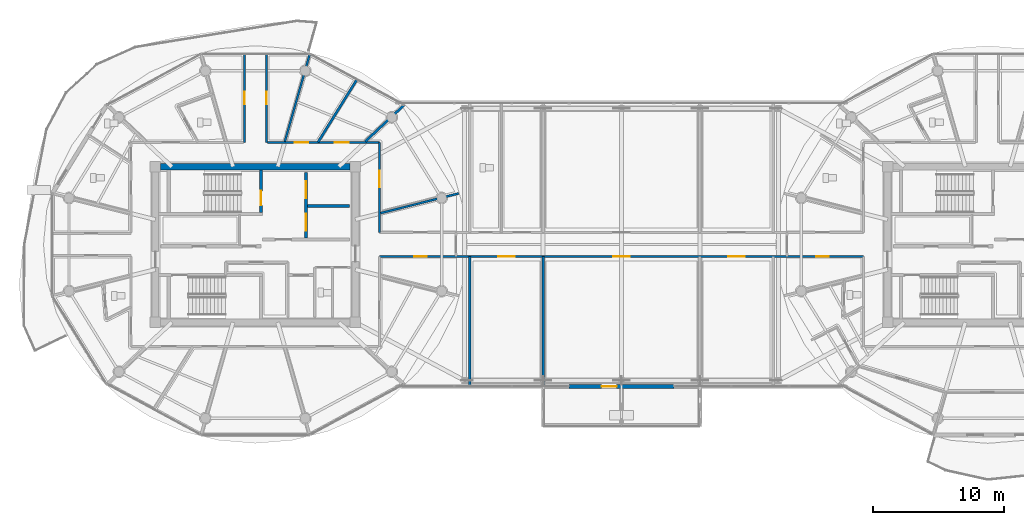
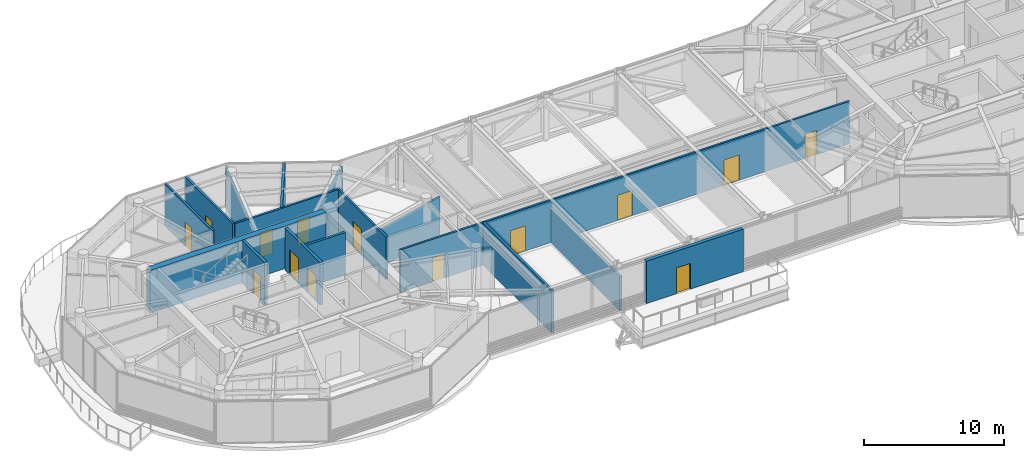
# One storey, part 16 of 31: 16 walls, 14 doors, 14 openings.
"""IFC4 building model written with IfcOpenShell, lengths in metres."""

from ifc_helpers import new_model, si_unit, direction, frame, frame_2d, origin, place, context, subcontext, project, spatial, rectangle, extrude, source, transform, mapped, material, layer, layer_set, type_object, type_shapes, element, fill, save


model = new_model("IFC4")

# Units and contexts
model_context = context("Model", 3, precision=1e-05, world=origin(), true_north=direction((0.0, 1.0)))
body_context = subcontext(model_context, "Body", "Model", "MODEL_VIEW")
ifc_project = project(units=[si_unit("LENGTHUNIT", "METRE"), si_unit("AREAUNIT", "SQUARE_METRE"), si_unit("VOLUMEUNIT", "CUBIC_METRE"), si_unit("PLANEANGLEUNIT", "RADIAN"), si_unit("MASSUNIT", "GRAM", prefix="KILO")], contexts=[model_context])

# Site, building, storey
site_placement = place(None, origin())
site = spatial("IfcSite", under=ifc_project, at=site_placement, CompositionType="ELEMENT")
building_placement = place(site_placement, origin())
building = spatial("IfcBuilding", under=site, at=building_placement, Name="Norrkilde Senior Care Towers", CompositionType="ELEMENT")
storey_placement = place(building_placement, frame((0.0, 0.0, 199.800048828125)))
storey = spatial("IfcBuildingStorey", under=building, at=storey_placement, Name="L62", CompositionType="ELEMENT", Elevation=199.800048828125)

# Wall
ifc_material_1 = material(Name="Concrete C50/60", Category="concrete")
ifc_layer_1 = layer(ifc_material_1, 0.52001953125)
ifc_layer_set_1 = layer_set([ifc_layer_1], Name="Concrete C50/60")
wall_type_1 = type_object("IfcWallType", Name="Core Shear Wall Z4 520", PredefinedType="SHEAR", material=ifc_layer_set_1)
shared_shape_1 = source(origin(), body_context, "Body", "SweptSolid", [
    extrude(rectangle(XDim=14.5, YDim=0.52001953125, at=frame_2d((7.25, 0.0))), origin(), (0.0, 0.0, 1.0), 3.7099609375),
])
type_shapes(wall_type_1, [shared_shape_1])
wall_1_placement = place(storey_placement, frame((-35.25, 5.949951171875, 0.0), z_axis=(0.0, 0.0, 1.0), x_axis=(1.0, 0.0, 0.0)))
element("IfcWall", 1, at=wall_1_placement, inside=storey, type_object=wall_type_1, Name="L62 Core W North Shear Wall", PredefinedType="SHEAR", context=body_context, shape_type="MappedRepresentation", body=[
    mapped(shared_shape_1, transform((0.0, 0.0, 0.0), x_axis=(1.0, 0.0, 0.0), y_axis=(0.0, 1.0, 0.0), z_axis=(0.0, 0.0, 1.0), scale=1.0)),
])

# Wall, opening, door
ifc_material_2 = material(Name="Precast concrete C45/55", Category="concrete")
ifc_layer_2 = layer(ifc_material_2, 0.2900390625)
ifc_layer_set_2 = layer_set([ifc_layer_2], Name="Precast concrete C45/55")
wall_type_2 = type_object("IfcWallType", Name="Winter Garden Facade Wall 290", PredefinedType="SOLIDWALL", material=ifc_layer_set_2)
shared_shape_2 = source(origin(), body_context, "Body", "SweptSolid", [
    extrude(rectangle(XDim=8.0, YDim=0.2900390625, at=frame_2d((4.0, 0.0))), origin(), (0.0, 0.0, 1.0), 3.7099609375),
])
type_shapes(wall_type_2, [shared_shape_2])
wall_2_placement = place(storey_placement, frame((4.0, -10.85009765625, 0.0), z_axis=(0.0, 0.0, 1.0), x_axis=(-1.0, 0.0, 0.0)))
wall_2 = element("IfcWall", 2, at=wall_2_placement, inside=storey, type_object=wall_type_2, Name="L62 Sky-Pool Deck Access Facade Wall", PredefinedType="SOLIDWALL", context=body_context, shape_type="MappedRepresentation", body=[
    mapped(shared_shape_2, transform((0.0, 0.0, 0.0), x_axis=(1.0, 0.0, 0.0), y_axis=(0.0, 1.0, 0.0), z_axis=(0.0, 0.0, 1.0), scale=1.0)),
])
opening_1_placement = place(wall_2_placement, frame((4.3798828125, 0.0, 0.0)))
opening_1 = element("IfcOpeningElement", 3, at=opening_1_placement, cuts=wall_2, Name="Opening D-09", PredefinedType="OPENING", context=body_context, shape_type="SweptSolid", body=[
    extrude(rectangle(XDim=1.14990234375, YDim=2.25, at=frame_2d((0.574951171875, 1.125))), frame((0.0, 0.155029296875, 0.0), z_axis=(0.0, -1.0, 0.0), x_axis=(1.0, 0.0, 0.0)), (0.0, 0.0, 1.0), 0.31005859375),
])
ifc_material_3 = material(Name="Anodised Aluminium", Category="aluminium")
door_type_1 = type_object("IfcDoorType", Name="Terrace and Balcony Glazed Door 1150x2250", OperationType="NOTDEFINED", PredefinedType="DOOR", material=ifc_material_3)
shared_shape_3 = source(origin(), body_context, "Body", "SweptSolid", [
    extrude(rectangle(XDim=1.14990234375, YDim=2.25, at=frame_2d((0.574951171875, 1.125))), frame((0.0, 0.02490234375, 0.0), z_axis=(0.0, -1.0, 0.0), x_axis=(1.0, 0.0, 0.0)), (0.0, 0.0, 1.0), 0.050048828125),
])
type_shapes(door_type_1, [shared_shape_3])
door_1_placement = place(opening_1_placement, origin())
door_1 = element("IfcDoor", 4, at=door_1_placement, inside=storey, type_object=door_type_1, Name="L62 Hydrotherapy Sky-Pool Deck Door", OperationType="SINGLE_SWING_LEFT", OverallHeight=2.25, OverallWidth=1.14990234375, PredefinedType="DOOR", context=body_context, shape_type="MappedRepresentation", body=[
    mapped(shared_shape_3, transform((0.0, 0.0, 0.0), x_axis=(1.0, 0.0, 0.0), y_axis=(0.0, 1.0, 0.0), z_axis=(0.0, 0.0, 1.0), scale=1.0)),
])
fill(opening_1, door_1)

ifc_material_4 = material(Name="Concrete C45/55", Category="concrete")
ifc_layer_3 = layer(ifc_material_4, 0.239990234375)
ifc_layer_set_3 = layer_set([ifc_layer_3], Name="Concrete C45/55")
wall_type_3 = type_object("IfcWallType", Name="Shaft and Stair Enclosure Wall 240", PredefinedType="PARTITIONING", material=ifc_layer_set_3)
shared_shape_4 = source(origin(), body_context, "Body", "SweptSolid", [
    extrude(rectangle(XDim=3.239990234375, YDim=0.239990234375, at=frame_2d((1.6201171875, 0.0))), origin(), (0.0, 0.0, 1.0), 3.7099609375),
])
type_shapes(wall_type_3, [shared_shape_4])
wall_3_placement = place(storey_placement, frame((-27.580078125, 2.449951171875, 0.0), z_axis=(0.0, 0.0, 1.0), x_axis=(0.0, 1.0, 0.0)))
wall_3 = element("IfcWall", 5, at=wall_3_placement, inside=storey, type_object=wall_type_3, Name="WL-INT-L62-W-ST1E", PredefinedType="PARTITIONING", context=body_context, shape_type="MappedRepresentation", body=[
    mapped(shared_shape_4, transform((0.0, 0.0, 0.0), x_axis=(1.0, 0.0, 0.0), y_axis=(0.0, 1.0, 0.0), z_axis=(0.0, 0.0, 1.0), scale=1.0)),
])
opening_2_placement = place(wall_3_placement, frame((0.550048828125, 0.0, 0.0)))
opening_2 = element("IfcOpeningElement", 6, at=opening_2_placement, cuts=wall_3, Name="Opening D-03", PredefinedType="OPENING", context=body_context, shape_type="SweptSolid", body=[
    extrude(rectangle(XDim=1.10009765625, YDim=2.14990234375, at=frame_2d((0.550048828125, 1.074951171875))), frame((0.0, 0.1298828125, 0.0), z_axis=(0.0, -1.0, 0.0), x_axis=(1.0, 0.0, 0.0)), (0.0, 0.0, 1.0), 0.260009765625),
])
ifc_material_5 = material(Name="Galvanised Painted Steel", Category="steel")
door_type_2 = type_object("IfcDoorType", Name="Stairwell Protected Fire Door 1100x2150", OperationType="NOTDEFINED", PredefinedType="DOOR", material=ifc_material_5)
shared_shape_5 = source(origin(), body_context, "Body", "SweptSolid", [
    extrude(rectangle(XDim=1.10009765625, YDim=2.14990234375, at=frame_2d((0.550048828125, 1.074951171875))), frame((0.0, 0.02490234375, 0.0), z_axis=(0.0, -1.0, 0.0), x_axis=(1.0, 0.0, 0.0)), (0.0, 0.0, 1.0), 0.050048828125),
])
type_shapes(door_type_2, [shared_shape_5])
door_2_placement = place(opening_2_placement, origin())
door_2 = element("IfcDoor", 7, at=door_2_placement, inside=storey, type_object=door_type_2, Name="L62 Stair W1 Fire Door", OperationType="SINGLE_SWING_LEFT", OverallHeight=2.14990234375, OverallWidth=1.10009765625, PredefinedType="DOOR", context=body_context, shape_type="MappedRepresentation", body=[
    mapped(shared_shape_5, transform((0.0, 0.0, 0.0), x_axis=(1.0, 0.0, 0.0), y_axis=(0.0, 1.0, 0.0), z_axis=(0.0, 0.0, 1.0), scale=1.0)),
])
fill(opening_2, door_2)

# Wall, openings, doors
ifc_layer_4 = layer(ifc_material_4, 0.239990234375)
ifc_layer_set_4 = layer_set([ifc_layer_4], Name="Concrete C45/55")
wall_type_4 = type_object("IfcWallType", Name="Lift and Plant Rated Enclosure Partition 240", PredefinedType="PARTITIONING", material=ifc_layer_set_4)
shared_shape_6 = source(origin(), body_context, "Body", "SweptSolid", [
    extrude(rectangle(XDim=5.0, YDim=0.239990234375, at=frame_2d((2.5, 0.0))), origin(), (0.0, 0.0, 1.0), 3.695068359375),
])
type_shapes(wall_type_4, [shared_shape_6])
wall_4_placement = place(storey_placement, frame((-24.139892578125, 0.5, 0.0), z_axis=(0.0, 0.0, 1.0), x_axis=(0.0, 1.0, 0.0)))
wall_4 = element("IfcWall", 8, at=wall_4_placement, inside=storey, type_object=wall_type_4, Name="WL-INT-L62-W-FFLE", PredefinedType="PARTITIONING", context=body_context, shape_type="MappedRepresentation", body=[
    mapped(shared_shape_6, transform((0.0, 0.0, 0.0), x_axis=(1.0, 0.0, 0.0), y_axis=(0.0, 1.0, 0.0), z_axis=(0.0, 0.0, 1.0), scale=1.0)),
])
opening_3_placement = place(wall_4_placement, frame((3.050048828125, 0.0, 0.0)))
opening_3 = element("IfcOpeningElement", 9, at=opening_3_placement, cuts=wall_4, Name="Opening LD-02", PredefinedType="OPENING", context=body_context, shape_type="SweptSolid", body=[
    extrude(rectangle(XDim=1.300048828125, YDim=2.199951171875, at=frame_2d((0.64990234375, 1.10009765625))), frame((0.0, 0.1298828125, 0.0), z_axis=(0.0, -1.0, 0.0), x_axis=(1.0, 0.0, 0.0)), (0.0, 0.0, 1.0), 0.260009765625),
])
opening_4_placement = place(wall_4_placement, frame((0.550048828125, 0.0, 0.0)))
opening_4 = element("IfcOpeningElement", 10, at=opening_4_placement, cuts=wall_4, Name="Opening LD-02", PredefinedType="OPENING", context=body_context, shape_type="SweptSolid", body=[
    extrude(rectangle(XDim=1.300048828125, YDim=2.199951171875, at=frame_2d((0.64990234375, 1.10009765625))), frame((0.0, 0.1298828125, 0.0), z_axis=(0.0, -1.0, 0.0), x_axis=(1.0, 0.0, 0.0)), (0.0, 0.0, 1.0), 0.260009765625),
])
ifc_material_6 = material(Name="Stainless Steel", Category="steel")
door_type_3 = type_object("IfcDoorType", Name="Stretcher and FFL Landing Sliding Door 1300x2200", OperationType="NOTDEFINED", PredefinedType="DOOR", material=ifc_material_6)
shared_shape_7 = source(origin(), body_context, "Body", "SweptSolid", [
    extrude(rectangle(XDim=1.300048828125, YDim=2.199951171875, at=frame_2d((0.64990234375, 1.10009765625))), frame((0.0, 0.02490234375, 0.0), z_axis=(0.0, -1.0, 0.0), x_axis=(1.0, 0.0, 0.0)), (0.0, 0.0, 1.0), 0.050048828125),
])
type_shapes(door_type_3, [shared_shape_7])
door_3_placement = place(opening_3_placement, origin())
door_3 = element("IfcDoor", 11, at=door_3_placement, inside=storey, type_object=door_type_3, Name="L62 Firefighting Lift W1 Landing Door", OperationType="SLIDING_TO_LEFT", OverallHeight=2.199951171875, OverallWidth=1.300048828125, PredefinedType="DOOR", context=body_context, shape_type="MappedRepresentation", body=[
    mapped(shared_shape_7, transform((0.0, 0.0, 0.0), x_axis=(1.0, 0.0, 0.0), y_axis=(0.0, 1.0, 0.0), z_axis=(0.0, 0.0, 1.0), scale=1.0)),
])
fill(opening_3, door_3)
door_4_placement = place(opening_4_placement, origin())
door_4 = element("IfcDoor", 12, at=door_4_placement, inside=storey, type_object=door_type_3, Name="L62 Stretcher Lift W1 Landing Door", OperationType="SLIDING_TO_RIGHT", OverallHeight=2.199951171875, OverallWidth=1.300048828125, PredefinedType="DOOR", context=body_context, shape_type="MappedRepresentation", body=[
    mapped(shared_shape_7, transform((0.0, 0.0, 0.0), x_axis=(1.0, 0.0, 0.0), y_axis=(0.0, 1.0, 0.0), z_axis=(0.0, 0.0, 1.0), scale=1.0)),
])
fill(opening_4, door_4)

# Wall
ifc_layer_5 = layer(ifc_material_4, 0.199951171875)
ifc_layer_set_5 = layer_set([ifc_layer_5], Name="Concrete C45/55")
wall_type_5 = type_object("IfcWallType", Name="Shaft Division and Plant Partition 200", PredefinedType="PARTITIONING", material=ifc_layer_set_5)
shared_shape_8 = source(origin(), body_context, "Body", "SweptSolid", [
    extrude(rectangle(XDim=3.199951171875, YDim=0.199951171875, at=frame_2d((1.60009765625, 0.0))), origin(), (0.0, 0.0, 1.0), 3.695068359375),
])
type_shapes(wall_type_5, [shared_shape_8])
wall_5_placement = place(storey_placement, frame((-24.0, 2.949951171875, 0.0), z_axis=(0.0, 0.0, 1.0), x_axis=(1.0, 0.0, 0.0)))
element("IfcWall", 13, at=wall_5_placement, inside=storey, type_object=wall_type_5, Name="WL-INT-L62-W-FFLDIV", PredefinedType="PARTITIONING", context=body_context, shape_type="MappedRepresentation", body=[
    mapped(shared_shape_8, transform((0.0, 0.0, 0.0), x_axis=(1.0, 0.0, 0.0), y_axis=(0.0, 1.0, 0.0), z_axis=(0.0, 0.0, 1.0), scale=1.0)),
])

# Wall, openings, doors
ifc_material_7 = material(Name="Gypsum Acoustic Board")
ifc_layer_6 = layer(ifc_material_7, 0.1650390625)
ifc_layer_set_6 = layer_set([ifc_layer_6], Name="Gypsum Acoustic Board")
wall_type_6 = type_object("IfcWallType", Name="Corridor Rated Partition 165", PredefinedType="PARTITIONING", material=ifc_layer_set_6)
shared_shape_9 = source(origin(), body_context, "Body", "SweptSolid", [
    extrude(rectangle(XDim=8.580078125, YDim=0.1650390625, at=frame_2d((4.2900390625, 0.0))), origin(), (0.0, 0.0, 1.0), 3.695068359375),
])
wall_6_placement = place(storey_placement, frame((-27.080078125, 7.800048828125, 0.0), z_axis=(0.0, 0.0, 1.0), x_axis=(1.0, 0.0, 0.0)))
wall_6 = element("IfcWall", 14, at=wall_6_placement, inside=storey, type_object=wall_type_6, Name="WL-INT-L62-W-CRW-N-1", PredefinedType="PARTITIONING", context=body_context, shape_type="MappedRepresentation", body=[
    mapped(shared_shape_9, transform((0.0, 0.0, 0.0), x_axis=(1.0, 0.0, 0.0), y_axis=(0.0, 1.0, 0.0), z_axis=(0.0, 0.0, 1.0), scale=1.0)),
])
opening_5_placement = place(wall_6_placement, frame((5.166259765625, 0.0, 0.0)))
opening_5 = element("IfcOpeningElement", 15, at=opening_5_placement, cuts=wall_6, Name="Opening D-06", PredefinedType="OPENING", context=body_context, shape_type="SweptSolid", body=[
    extrude(rectangle(XDim=1.050048828125, YDim=2.14990234375, at=frame_2d((0.52490234375, 1.074951171875))), frame((0.0, 0.092529296875, 0.0), z_axis=(0.0, -1.0, 0.0), x_axis=(1.0, 0.0, 0.0)), (0.0, 0.0, 1.0), 0.18505859375),
])
opening_6_placement = place(wall_6_placement, frame((2.076416015625, 0.0, 0.0)))
opening_6 = element("IfcOpeningElement", 16, at=opening_6_placement, cuts=wall_6, Name="Opening D-06", PredefinedType="OPENING", context=body_context, shape_type="SweptSolid", body=[
    extrude(rectangle(XDim=1.050048828125, YDim=2.14990234375, at=frame_2d((0.52490234375, 1.074951171875))), frame((0.0, 0.092529296875, 0.0), z_axis=(0.0, -1.0, 0.0), x_axis=(1.0, 0.0, 0.0)), (0.0, 0.0, 1.0), 0.18505859375),
])
ifc_material_8 = material(Name="Nordic Ash Timber", Category="wood")
door_type_4 = type_object("IfcDoorType", Name="Apartment Entrance Fire Door 1050x2150", OperationType="NOTDEFINED", PredefinedType="DOOR", material=ifc_material_8)
shared_shape_10 = source(origin(), body_context, "Body", "SweptSolid", [
    extrude(rectangle(XDim=1.050048828125, YDim=2.14990234375, at=frame_2d((0.52490234375, 1.074951171875))), frame((0.0, 0.02490234375, 0.0), z_axis=(0.0, -1.0, 0.0), x_axis=(1.0, 0.0, 0.0)), (0.0, 0.0, 1.0), 0.050048828125),
])
type_shapes(door_type_4, [shared_shape_10])
door_5_placement = place(opening_5_placement, frame((1.050048828125, 0.0, 0.0), z_axis=(0.0, 0.0, 1.0), x_axis=(-1.0, 0.0, 0.0)))
door_5 = element("IfcDoor", 17, at=door_5_placement, inside=storey, type_object=door_type_4, Name="L62 Physiotherapy Clinic 1A Door", OperationType="SINGLE_SWING_RIGHT", OverallHeight=2.14990234375, OverallWidth=1.050048828125, PredefinedType="DOOR", context=body_context, shape_type="MappedRepresentation", body=[
    mapped(shared_shape_10, transform((0.0, 0.0, 0.0), x_axis=(1.0, 0.0, 0.0), y_axis=(0.0, 1.0, 0.0), z_axis=(0.0, 0.0, 1.0), scale=1.0)),
])
fill(opening_5, door_5)
door_6_placement = place(opening_6_placement, frame((1.050048828125, 0.0, 0.0), z_axis=(0.0, 0.0, 1.0), x_axis=(-1.0, 0.0, 0.0)))
door_6 = element("IfcDoor", 18, at=door_6_placement, inside=storey, type_object=door_type_4, Name="L62 Assessment Clinic 1B Door", OperationType="SINGLE_SWING_LEFT", OverallHeight=2.14990234375, OverallWidth=1.050048828125, PredefinedType="DOOR", context=body_context, shape_type="MappedRepresentation", body=[
    mapped(shared_shape_10, transform((0.0, 0.0, 0.0), x_axis=(1.0, 0.0, 0.0), y_axis=(0.0, 1.0, 0.0), z_axis=(0.0, 0.0, 1.0), scale=1.0)),
])
fill(opening_6, door_6)

# Wall, opening, door
shared_shape_11 = source(origin(), body_context, "Body", "SweptSolid", [
    extrude(rectangle(XDim=6.880126953125, YDim=0.1650390625, at=frame_2d((3.43994140625, 0.0))), origin(), (0.0, 0.0, 1.0), 3.695068359375),
])
wall_7_placement = place(storey_placement, frame((-18.5, 7.800048828125, 0.0), z_axis=(0.0, 0.0, 1.0), x_axis=(0.0, -1.0, 0.0)))
wall_7 = element("IfcWall", 19, at=wall_7_placement, inside=storey, type_object=wall_type_6, Name="WL-INT-L62-W-CRW-E-0", PredefinedType="PARTITIONING", context=body_context, shape_type="MappedRepresentation", body=[
    mapped(shared_shape_11, transform((0.0, 0.0, 0.0), x_axis=(1.0, 0.0, 0.0), y_axis=(0.0, 1.0, 0.0), z_axis=(0.0, 0.0, 1.0), scale=1.0)),
])
opening_7_placement = place(wall_7_placement, frame((2.165771484375, 0.0, 0.0)))
opening_7 = element("IfcOpeningElement", 20, at=opening_7_placement, cuts=wall_7, Name="Opening D-05", PredefinedType="OPENING", context=body_context, shape_type="SweptSolid", body=[
    extrude(rectangle(XDim=1.25, YDim=2.199951171875, at=frame_2d((0.625, 1.10009765625))), frame((0.0, 0.092529296875, 0.0), z_axis=(0.0, -1.0, 0.0), x_axis=(1.0, 0.0, 0.0)), (0.0, 0.0, 1.0), 0.18505859375),
])
door_type_5 = type_object("IfcDoorType", Name="Care Bedroom Bariatric Door 1250x2200", OperationType="NOTDEFINED", PredefinedType="DOOR", material=ifc_material_8)
shared_shape_12 = source(origin(), body_context, "Body", "SweptSolid", [
    extrude(rectangle(XDim=1.25, YDim=2.199951171875, at=frame_2d((0.625, 1.10009765625))), frame((0.0, 0.02490234375, 0.0), z_axis=(0.0, -1.0, 0.0), x_axis=(1.0, 0.0, 0.0)), (0.0, 0.0, 1.0), 0.050048828125),
])
type_shapes(door_type_5, [shared_shape_12])
door_7_placement = place(opening_7_placement, frame((1.25, 0.0, 0.0), z_axis=(0.0, 0.0, 1.0), x_axis=(-1.0, 0.0, 0.0)))
door_7 = element("IfcDoor", 21, at=door_7_placement, inside=storey, type_object=door_type_5, Name="L62 Resident Therapeutic Day Lounge Door", OperationType="SINGLE_SWING_LEFT", OverallHeight=2.199951171875, OverallWidth=1.25, PredefinedType="DOOR", context=body_context, shape_type="MappedRepresentation", body=[
    mapped(shared_shape_12, transform((0.0, 0.0, 0.0), x_axis=(1.0, 0.0, 0.0), y_axis=(0.0, 1.0, 0.0), z_axis=(0.0, 0.0, 1.0), scale=1.0)),
])
fill(opening_7, door_7)

# Walls
shared_shape_13 = source(origin(), body_context, "Body", "SweptSolid", [
    extrude(rectangle(XDim=6.973876953125, YDim=0.1650390625, at=frame_2d((3.48681640625, 0.0))), origin(), (0.0, 0.0, 1.0), 3.294921875),
])
wall_8_placement = place(storey_placement, frame((-25.748779296875, 7.8798828125, 0.0), z_axis=(0.0, 0.0, 1.0), x_axis=(0.274707256801, 0.961527910703, 0.0)))
element("IfcWall", 22, at=wall_8_placement, inside=storey, type_object=wall_type_6, Name="WL-INT-L62-W-DEM-02-0", PredefinedType="PARTITIONING", context=body_context, shape_type="MappedRepresentation", body=[
    mapped(shared_shape_13, transform((0.0, 0.0, 0.0), x_axis=(1.0, 0.0, 0.0), y_axis=(0.0, 1.0, 0.0), z_axis=(0.0, 0.0, 1.0), scale=1.0)),
])
shared_shape_14 = source(origin(), body_context, "Body", "SweptSolid", [
    extrude(rectangle(XDim=6.1572265625, YDim=0.1650390625, at=frame_2d((3.07861328125, 0.0))), origin(), (0.0, 0.0, 1.0), 3.294921875),
])
wall_9_placement = place(storey_placement, frame((-18.419921875, 2.407470703125, 0.0), z_axis=(0.0, 0.0, 1.0), x_axis=(0.969840867184, 0.243738984038, 0.0)))
element("IfcWall", 23, at=wall_9_placement, inside=storey, type_object=wall_type_6, Name="WL-INT-L62-W-DEM-00-0", PredefinedType="PARTITIONING", context=body_context, shape_type="MappedRepresentation", body=[
    mapped(shared_shape_14, transform((0.0, 0.0, 0.0), x_axis=(1.0, 0.0, 0.0), y_axis=(0.0, 1.0, 0.0), z_axis=(0.0, 0.0, 1.0), scale=1.0)),
])

# Wall, opening, door
shared_shape_15 = source(origin(), body_context, "Body", "SweptSolid", [
    extrude(rectangle(XDim=6.83544921875, YDim=0.1650390625, at=frame_2d((3.417724609375, 0.0))), origin(), (0.0, 0.0, 1.0), 3.695068359375),
])
wall_10_placement = place(storey_placement, frame((-28.840087890625, 7.800048828125, 0.0), z_axis=(0.0, 0.0, 1.0), x_axis=(0.0, 1.0, 0.0)))
wall_10 = element("IfcWall", 24, at=wall_10_placement, inside=storey, type_object=wall_type_6, Name="WL-INT-L62-W-SPK-N1-0", PredefinedType="PARTITIONING", context=body_context, shape_type="MappedRepresentation", body=[
    mapped(shared_shape_15, transform((0.0, 0.0, 0.0), x_axis=(1.0, 0.0, 0.0), y_axis=(0.0, 1.0, 0.0), z_axis=(0.0, 0.0, 1.0), scale=1.0)),
])
opening_8_placement = place(wall_10_placement, frame((2.942626953125, 0.0, 0.0)))
opening_8 = element("IfcOpeningElement", 25, at=opening_8_placement, cuts=wall_10, Name="Opening D-07", PredefinedType="OPENING", context=body_context, shape_type="SweptSolid", body=[
    extrude(rectangle(XDim=0.949951171875, YDim=2.10009765625, at=frame_2d((0.47509765625, 1.050048828125))), frame((0.0, 0.092529296875, 0.0), z_axis=(0.0, -1.0, 0.0), x_axis=(1.0, 0.0, 0.0)), (0.0, 0.0, 1.0), 0.18505859375),
])
door_type_6 = type_object("IfcDoorType", Name="Internal Suite Bedroom Door 950x2100", OperationType="NOTDEFINED", PredefinedType="DOOR", material=ifc_material_8)
shared_shape_16 = source(origin(), body_context, "Body", "SweptSolid", [
    extrude(rectangle(XDim=0.949951171875, YDim=2.10009765625, at=frame_2d((0.47509765625, 1.050048828125))), frame((0.0, 0.02490234375, 0.0), z_axis=(0.0, -1.0, 0.0), x_axis=(1.0, 0.0, 0.0)), (0.0, 0.0, 1.0), 0.050048828125),
])
type_shapes(door_type_6, [shared_shape_16])
door_8_placement = place(opening_8_placement, frame((0.949951171875, 0.0, 0.0), z_axis=(0.0, 0.0, 1.0), x_axis=(-1.0, 0.0, 0.0)))
door_8 = element("IfcDoor", 26, at=door_8_placement, inside=storey, type_object=door_type_6, Name="L62 Sun Reading Lounge 3 Door", OperationType="SINGLE_SWING_RIGHT", OverallHeight=2.10009765625, OverallWidth=0.949951171875, PredefinedType="DOOR", context=body_context, shape_type="MappedRepresentation", body=[
    mapped(shared_shape_16, transform((0.0, 0.0, 0.0), x_axis=(1.0, 0.0, 0.0), y_axis=(0.0, 1.0, 0.0), z_axis=(0.0, 0.0, 1.0), scale=1.0)),
])
fill(opening_8, door_8)

wall_11_placement = place(storey_placement, frame((-27.159912109375, 14.635498046875, 0.0), z_axis=(0.0, 0.0, 1.0), x_axis=(0.0, -1.0, 0.0)))
wall_11 = element("IfcWall", 27, at=wall_11_placement, inside=storey, type_object=wall_type_6, Name="WL-INT-L62-W-SPK-N2-0", PredefinedType="PARTITIONING", context=body_context, shape_type="MappedRepresentation", body=[
    mapped(shared_shape_15, transform((0.0, 0.0, 0.0), x_axis=(1.0, 0.0, 0.0), y_axis=(0.0, 1.0, 0.0), z_axis=(0.0, 0.0, 1.0), scale=1.0)),
])
opening_9_placement = place(wall_11_placement, frame((2.942626953125, 0.0, 0.0)))
opening_9 = element("IfcOpeningElement", 28, at=opening_9_placement, cuts=wall_11, Name="Opening D-07", PredefinedType="OPENING", context=body_context, shape_type="SweptSolid", body=[
    extrude(rectangle(XDim=0.949951171875, YDim=2.10009765625, at=frame_2d((0.47509765625, 1.050048828125))), frame((0.0, 0.092529296875, 0.0), z_axis=(0.0, -1.0, 0.0), x_axis=(1.0, 0.0, 0.0)), (0.0, 0.0, 1.0), 0.18505859375),
])
door_9_placement = place(opening_9_placement, frame((0.949951171875, 0.0, 0.0), z_axis=(0.0, 0.0, 1.0), x_axis=(-1.0, 0.0, 0.0)))
door_9 = element("IfcDoor", 29, at=door_9_placement, inside=storey, type_object=door_type_6, Name="L62 Sun Reading Lounge 4 Door", OperationType="SINGLE_SWING_LEFT", OverallHeight=2.10009765625, OverallWidth=0.949951171875, PredefinedType="DOOR", context=body_context, shape_type="MappedRepresentation", body=[
    mapped(shared_shape_16, transform((0.0, 0.0, 0.0), x_axis=(1.0, 0.0, 0.0), y_axis=(0.0, 1.0, 0.0), z_axis=(0.0, 0.0, 1.0), scale=1.0)),
])
fill(opening_9, door_9)

# Walls
ifc_layer_7 = layer(ifc_material_7, 0.18994140625)
ifc_layer_set_7 = layer_set([ifc_layer_7], Name="Gypsum Acoustic Board")
wall_type_7 = type_object("IfcWallType", Name="Unit Demising Acoustic Wall 190", PredefinedType="PARTITIONING", material=ifc_layer_set_7)
shared_shape_17 = source(origin(), body_context, "Body", "SweptSolid", [
    extrude(rectangle(XDim=4.089111328125, YDim=0.18994140625, at=frame_2d((2.04443359375, 0.0))), origin(), (0.0, 0.0, 1.0), 3.294921875),
])
wall_12_placement = place(storey_placement, frame((-19.59814453125, 7.8798828125, 0.0), z_axis=(0.0, 0.0, 1.0), x_axis=(0.729401273609, 0.684086092577, 0.0)))
element("IfcWall", 30, at=wall_12_placement, inside=storey, type_object=wall_type_7, Name="WL-INT-L62-W-DEM-01-0", PredefinedType="PARTITIONING", context=body_context, shape_type="MappedRepresentation", body=[
    mapped(shared_shape_17, transform((0.0, 0.0, 0.0), x_axis=(1.0, 0.0, 0.0), y_axis=(0.0, 1.0, 0.0), z_axis=(0.0, 0.0, 1.0), scale=1.0)),
])
shared_shape_18 = source(origin(), body_context, "Body", "SweptSolid", [
    extrude(rectangle(XDim=5.65185546875, YDim=0.18994140625, at=frame_2d((2.825927734375, 0.0))), origin(), (0.0, 0.0, 1.0), 3.695068359375),
])
wall_13_placement = place(storey_placement, frame((-23.2060546875, 7.830078125, 0.0), z_axis=(0.0, 0.0, 1.0), x_axis=(0.527566076956, 0.84951399897, 0.0)))
element("IfcWall", 31, at=wall_13_placement, inside=storey, type_object=wall_type_7, Name="WL-INT-L62-W-MID-01", PredefinedType="PARTITIONING", context=body_context, shape_type="MappedRepresentation", body=[
    mapped(shared_shape_18, transform((0.0, 0.0, 0.0), x_axis=(1.0, 0.0, 0.0), y_axis=(0.0, 1.0, 0.0), z_axis=(0.0, 0.0, 1.0), scale=1.0)),
])

# Wall, openings, doors
shared_shape_19 = source(origin(), body_context, "Body", "SweptSolid", [
    extrude(rectangle(XDim=37.0, YDim=0.1650390625, at=frame_2d((18.5, 0.0))), origin(), (0.0, 0.0, 1.0), 3.695068359375),
])
type_shapes(wall_type_6, [shared_shape_9, shared_shape_11, shared_shape_13, shared_shape_14, shared_shape_15, shared_shape_19])
wall_14_placement = place(storey_placement, frame((-18.5, -0.919921875, 0.0), z_axis=(0.0, 0.0, 1.0), x_axis=(1.0, 0.0, 0.0)))
wall_14 = element("IfcWall", 32, at=wall_14_placement, inside=storey, type_object=wall_type_6, Name="WL-INT-L62-BR-CS", PredefinedType="PARTITIONING", context=body_context, shape_type="MappedRepresentation", body=[
    mapped(shared_shape_19, transform((0.0, 0.0, 0.0), x_axis=(1.0, 0.0, 0.0), y_axis=(0.0, 1.0, 0.0), z_axis=(0.0, 0.0, 1.0), scale=1.0)),
])
opening_10_placement = place(wall_14_placement, frame((2.66162109375, 0.0, 0.0)))
opening_10 = element("IfcOpeningElement", 33, at=opening_10_placement, cuts=wall_14, Name="Opening D-07", PredefinedType="OPENING", context=body_context, shape_type="SweptSolid", body=[
    extrude(rectangle(XDim=0.949951171875, YDim=2.10009765625, at=frame_2d((0.47509765625, 1.050048828125))), frame((0.0, 0.092529296875, 0.0), z_axis=(0.0, -1.0, 0.0), x_axis=(1.0, 0.0, 0.0)), (0.0, 0.0, 1.0), 0.18505859375),
])
opening_11_placement = place(wall_14_placement, frame((33.38818359375, 0.0, 0.0)))
opening_11 = element("IfcOpeningElement", 34, at=opening_11_placement, cuts=wall_14, Name="Opening D-07", PredefinedType="OPENING", context=body_context, shape_type="SweptSolid", body=[
    extrude(rectangle(XDim=0.949951171875, YDim=2.10009765625, at=frame_2d((0.47509765625, 1.050048828125))), frame((0.0, 0.092529296875, 0.0), z_axis=(0.0, -1.0, 0.0), x_axis=(1.0, 0.0, 0.0)), (0.0, 0.0, 1.0), 0.18505859375),
])
opening_12_placement = place(wall_14_placement, frame((9.074951171875, 0.0, 0.0)))
opening_12 = element("IfcOpeningElement", 35, at=opening_12_placement, cuts=wall_14, Name="Opening D-05", PredefinedType="OPENING", context=body_context, shape_type="SweptSolid", body=[
    extrude(rectangle(XDim=1.25, YDim=2.199951171875, at=frame_2d((0.625, 1.10009765625))), frame((0.0, 0.092529296875, 0.0), z_axis=(0.0, -1.0, 0.0), x_axis=(1.0, 0.0, 0.0)), (0.0, 0.0, 1.0), 0.18505859375),
])
opening_13_placement = place(wall_14_placement, frame((17.875, 0.0, 0.0)))
opening_13 = element("IfcOpeningElement", 36, at=opening_13_placement, cuts=wall_14, Name="Opening D-05", PredefinedType="OPENING", context=body_context, shape_type="SweptSolid", body=[
    extrude(rectangle(XDim=1.25, YDim=2.199951171875, at=frame_2d((0.625, 1.10009765625))), frame((0.0, 0.092529296875, 0.0), z_axis=(0.0, -1.0, 0.0), x_axis=(1.0, 0.0, 0.0)), (0.0, 0.0, 1.0), 0.18505859375),
])
opening_14_placement = place(wall_14_placement, frame((26.675048828125, 0.0, 0.0)))
opening_14 = element("IfcOpeningElement", 37, at=opening_14_placement, cuts=wall_14, Name="Opening D-05", PredefinedType="OPENING", context=body_context, shape_type="SweptSolid", body=[
    extrude(rectangle(XDim=1.25, YDim=2.199951171875, at=frame_2d((0.625, 1.10009765625))), frame((0.0, 0.092529296875, 0.0), z_axis=(0.0, -1.0, 0.0), x_axis=(1.0, 0.0, 0.0)), (0.0, 0.0, 1.0), 0.18505859375),
])
door_10_placement = place(opening_12_placement, origin())
door_10 = element("IfcDoor", 38, at=door_10_placement, inside=storey, type_object=door_type_5, Name="L62 Bridge South Room 1 Door", OperationType="SINGLE_SWING_LEFT", OverallHeight=2.199951171875, OverallWidth=1.25, PredefinedType="DOOR", context=body_context, shape_type="MappedRepresentation", body=[
    mapped(shared_shape_12, transform((0.0, 0.0, 0.0), x_axis=(1.0, 0.0, 0.0), y_axis=(0.0, 1.0, 0.0), z_axis=(0.0, 0.0, 1.0), scale=1.0)),
])
fill(opening_12, door_10)
door_11_placement = place(opening_13_placement, origin())
door_11 = element("IfcDoor", 39, at=door_11_placement, inside=storey, type_object=door_type_5, Name="L62 Bridge South Room 2 Door", OperationType="SINGLE_SWING_RIGHT", OverallHeight=2.199951171875, OverallWidth=1.25, PredefinedType="DOOR", context=body_context, shape_type="MappedRepresentation", body=[
    mapped(shared_shape_12, transform((0.0, 0.0, 0.0), x_axis=(1.0, 0.0, 0.0), y_axis=(0.0, 1.0, 0.0), z_axis=(0.0, 0.0, 1.0), scale=1.0)),
])
fill(opening_13, door_11)
door_12_placement = place(opening_14_placement, origin())
door_12 = element("IfcDoor", 40, at=door_12_placement, inside=storey, type_object=door_type_5, Name="L62 Bridge South Room 3 Door", OperationType="SINGLE_SWING_LEFT", OverallHeight=2.199951171875, OverallWidth=1.25, PredefinedType="DOOR", context=body_context, shape_type="MappedRepresentation", body=[
    mapped(shared_shape_12, transform((0.0, 0.0, 0.0), x_axis=(1.0, 0.0, 0.0), y_axis=(0.0, 1.0, 0.0), z_axis=(0.0, 0.0, 1.0), scale=1.0)),
])
fill(opening_14, door_12)
door_13_placement = place(opening_10_placement, frame((0.949951171875, 0.0, 0.0), z_axis=(0.0, 0.0, 1.0), x_axis=(-1.0, 0.0, 0.0)))
door_13 = element("IfcDoor", 41, at=door_13_placement, inside=storey, type_object=door_type_6, Name="L62 Sun Reading Lounge 5 Door", OperationType="SINGLE_SWING_RIGHT", OverallHeight=2.10009765625, OverallWidth=0.949951171875, PredefinedType="DOOR", context=body_context, shape_type="MappedRepresentation", body=[
    mapped(shared_shape_16, transform((0.0, 0.0, 0.0), x_axis=(1.0, 0.0, 0.0), y_axis=(0.0, 1.0, 0.0), z_axis=(0.0, 0.0, 1.0), scale=1.0)),
])
fill(opening_10, door_13)
door_14_placement = place(opening_11_placement, frame((0.949951171875, 0.0, 0.0), z_axis=(0.0, 0.0, 1.0), x_axis=(-1.0, 0.0, 0.0)))
door_14 = element("IfcDoor", 42, at=door_14_placement, inside=storey, type_object=door_type_6, Name="L62 Sun Reading Lounge 1 Door", OperationType="SINGLE_SWING_RIGHT", OverallHeight=2.10009765625, OverallWidth=0.949951171875, PredefinedType="DOOR", context=body_context, shape_type="MappedRepresentation", body=[
    mapped(shared_shape_16, transform((0.0, 0.0, 0.0), x_axis=(1.0, 0.0, 0.0), y_axis=(0.0, 1.0, 0.0), z_axis=(0.0, 0.0, 1.0), scale=1.0)),
])
fill(opening_11, door_14)

# Walls
shared_shape_20 = source(origin(), body_context, "Body", "SweptSolid", [
    extrude(rectangle(XDim=9.880126953125, YDim=0.18994140625, at=frame_2d((4.93994140625, 0.0))), origin(), (0.0, 0.0, 1.0), 3.695068359375),
])
wall_15_placement = place(storey_placement, frame((-11.60009765625, -10.800048828125, 0.0), z_axis=(0.0, 0.0, 1.0), x_axis=(0.0, 1.0, 0.0)))
element("IfcWall", 43, at=wall_15_placement, inside=storey, type_object=wall_type_7, Name="WL-INT-L62-BR-ES-12", PredefinedType="PARTITIONING", context=body_context, shape_type="MappedRepresentation", body=[
    mapped(shared_shape_20, transform((0.0, 0.0, 0.0), x_axis=(1.0, 0.0, 0.0), y_axis=(0.0, 1.0, 0.0), z_axis=(0.0, 0.0, 1.0), scale=1.0)),
])
shared_shape_21 = source(origin(), body_context, "Body", "SweptSolid", [
    extrude(rectangle(XDim=9.880126953125, YDim=0.18994140625, at=frame_2d((4.93994140625, 0.0))), origin(), (0.0, 0.0, 1.0), 2.994873046875),
])
type_shapes(wall_type_7, [shared_shape_17, shared_shape_18, shared_shape_20, shared_shape_21])
wall_16_placement = place(storey_placement, frame((-6.0, -10.800048828125, 0.0), z_axis=(0.0, 0.0, 1.0), x_axis=(0.0, 1.0, 0.0)))
element("IfcWall", 44, at=wall_16_placement, inside=storey, type_object=wall_type_7, Name="WL-INT-L62-BR-VS1", PredefinedType="PARTITIONING", context=body_context, shape_type="MappedRepresentation", body=[
    mapped(shared_shape_21, transform((0.0, 0.0, 0.0), x_axis=(1.0, 0.0, 0.0), y_axis=(0.0, 1.0, 0.0), z_axis=(0.0, 0.0, 1.0), scale=1.0)),
])

save(model, "model.ifc")
